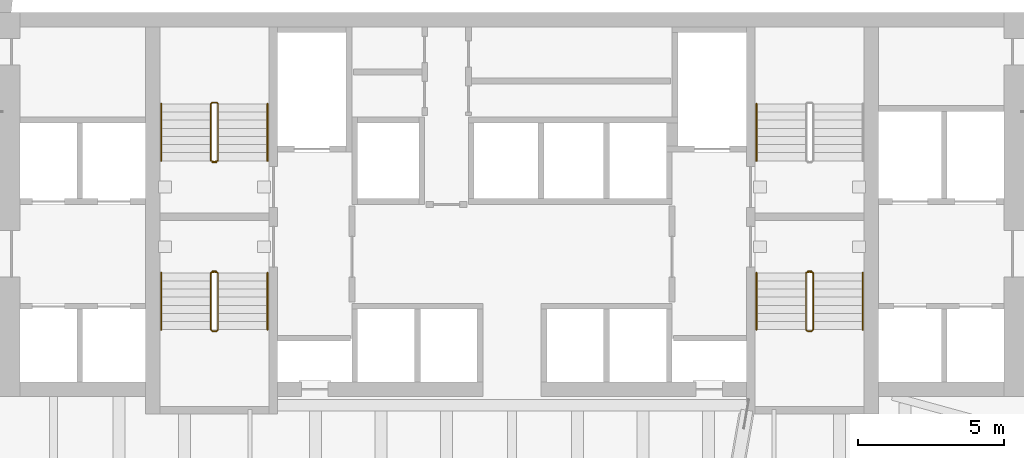
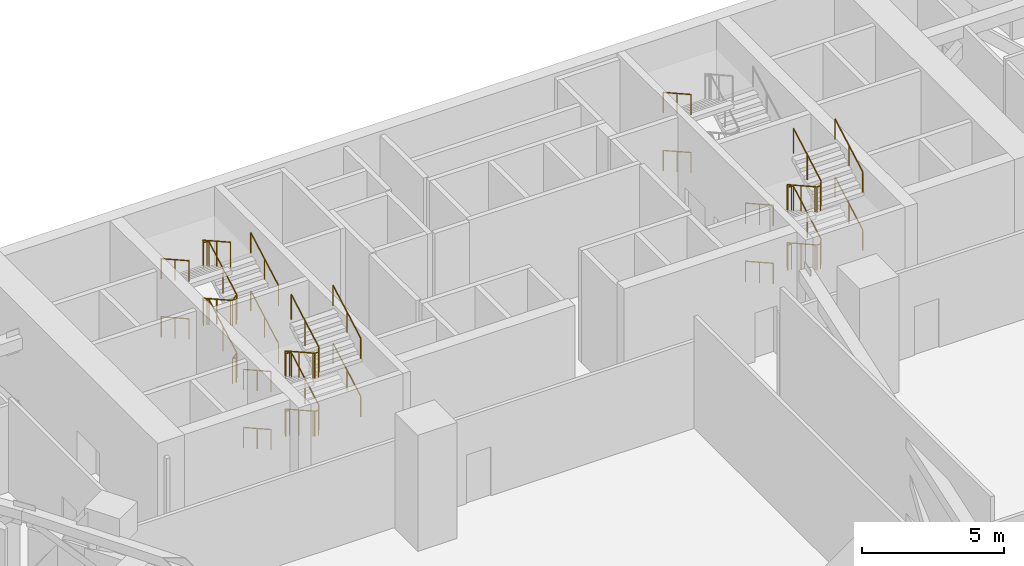
# One storey, part 21 of 22: 17 railings.
"""IFC4 building model written with IfcOpenShell, lengths in metres."""

from ifc_helpers import new_model, si_unit, direction, frame, origin, origin_2d, place, context, subcontext, project, spatial, circle, extrude, material, type_object, element, save


model = new_model("IFC4")

# Units and contexts
model_context = context("Model", 3, precision=1e-05, world=origin(), true_north=direction((0.0, 1.0)))
body_context = subcontext(model_context, "Body", "Model", "MODEL_VIEW")
ifc_project = project(units=[si_unit("LENGTHUNIT", "METRE"), si_unit("AREAUNIT", "SQUARE_METRE"), si_unit("VOLUMEUNIT", "CUBIC_METRE"), si_unit("PLANEANGLEUNIT", "RADIAN"), si_unit("MASSUNIT", "GRAM", prefix="KILO")], contexts=[model_context])

# Site, building, storey
site_placement = place(None, origin())
site = spatial("IfcSite", under=ifc_project, at=site_placement, CompositionType="ELEMENT")
building_placement = place(site_placement, origin())
building = spatial("IfcBuilding", under=site, at=building_placement, Name="Calabash Gate Tower", CompositionType="ELEMENT")
storey_placement = place(building_placement, frame((0.0, 0.0, 86.800048828125)))
storey = spatial("IfcBuildingStorey", under=building, at=storey_placement, Name="L18", CompositionType="ELEMENT", Elevation=86.800048828125)

# Railings
ifc_material_1 = material(Name="Black powder-coated steel balusters", Category="steel")
railing_type_1 = type_object("IfcRailingType", Name="Stair guard RL1100", PredefinedType="GUARDRAIL", material=ifc_material_1)
railing_1_placement = place(storey_placement, frame((-10.14990234375, 13.902587890625, 0.0)))
element("IfcRailing", 1, at=railing_1_placement, inside=storey, type_object=railing_type_1, Name="L18 ST1 stair guard 1", PredefinedType="GUARDRAIL", context=body_context, shape_type="SweptSolid", body=[
    extrude(circle(Radius=0.02392578125, at=origin_2d()), frame((0.0, 0.0, 1.076171875), z_axis=(-1.0, 0.0, 0.0), x_axis=(0.0, -1.0, 0.0)), (0.0, 0.0, 1.0), 0.150146484375),
    extrude(circle(Radius=0.02392578125, at=origin_2d()), frame((-0.150146484375, 0.0, 1.076171875), z_axis=(0.77305925043, 0.19350078918, 0.604100024756), x_axis=(-0.242814311512, 0.970072785993, 0.0)), (0.0, 0.0, 1.0), 0.258544921875),
    extrude(circle(Radius=0.02392578125, at=origin_2d()), frame((0.0498046875, 0.050048828125, 1.232421875), z_axis=(0.0, 0.872479975208, 0.48864986735), x_axis=(-1.0, 0.0, 0.0)), (0.0, 0.0, 1.0), 2.23828125),
    extrude(circle(Radius=0.02392578125, at=origin_2d()), frame((0.0498046875, 2.0029296875, 2.326171875), z_axis=(-0.705375805398, 0.708833529934, 0.0), x_axis=(-0.708833529934, -0.705375805398, 0.0)), (0.0, 0.0, 1.0), 0.070556640625),
    extrude(circle(Radius=0.02392578125, at=origin_2d()), frame((0.0, 2.052978515625, 2.326171875), z_axis=(-1.0, 0.0, 0.0), x_axis=(0.0, -1.0, 0.0)), (0.0, 0.0, 1.0), 0.150146484375),
    extrude(circle(Radius=0.02392578125, at=origin_2d()), frame((-0.150146484375, 2.052978515625, 2.326171875), z_axis=(-0.29177245553, -0.29177245553, 0.91089937336), x_axis=(0.707106781187, -0.707106781187, 0.0)), (0.0, 0.0, 1.0), 0.171630859375),
    extrude(circle(Radius=0.02392578125, at=origin_2d()), frame((-0.2001953125, 2.0029296875, 2.482421875), z_axis=(0.0, -0.872479975208, 0.48864986735), x_axis=(1.0, 0.0, 0.0)), (0.0, 0.0, 1.0), 2.23828125),
    extrude(circle(Radius=0.02392578125, at=origin_2d()), frame((-0.2001953125, 0.050048828125, 3.576171875), z_axis=(0.970142500145, -0.242535625036, 0.0), x_axis=(0.242535625036, 0.970142500145, 0.0)), (0.0, 0.0, 1.0), 0.206298828125),
    extrude(circle(Radius=0.02392578125, at=origin_2d()), frame((0.0, 0.0, 3.576171875), z_axis=(-1.0, 0.0, 0.0), x_axis=(0.0, -1.0, 0.0)), (0.0, 0.0, 1.0), 0.150146484375),
    extrude(circle(Radius=0.02392578125, at=origin_2d()), frame((-0.150146484375, 0.0, 3.576171875), z_axis=(0.77305925043, 0.19350078918, 0.604100024756), x_axis=(-0.242814311512, 0.970072785993, 0.0)), (0.0, 0.0, 1.0), 0.258544921875),
    extrude(circle(Radius=0.02392578125, at=origin_2d()), frame((0.0498046875, 0.050048828125, 3.732421875), z_axis=(0.0, 0.872479975208, 0.48864986735), x_axis=(-1.0, 0.0, 0.0)), (0.0, 0.0, 1.0), 2.23828125),
    extrude(circle(Radius=0.02392578125, at=origin_2d()), frame((0.0498046875, 2.0029296875, 4.826171875), z_axis=(-0.705375805398, 0.708833529934, 0.0), x_axis=(-0.708833529934, -0.705375805398, 0.0)), (0.0, 0.0, 1.0), 0.070556640625),
    extrude(circle(Radius=0.02392578125, at=origin_2d()), frame((0.0, 2.052978515625, 4.826171875), z_axis=(-1.0, 0.0, 0.0), x_axis=(0.0, -1.0, 0.0)), (0.0, 0.0, 1.0), 0.150146484375),
    extrude(circle(Radius=0.02392578125, at=origin_2d()), frame((-0.150146484375, 2.052978515625, 4.826171875), z_axis=(-0.29177245553, -0.29177245553, 0.91089937336), x_axis=(0.707106781187, -0.707106781187, 0.0)), (0.0, 0.0, 1.0), 0.171630859375),
    extrude(circle(Radius=0.02392578125, at=origin_2d()), frame((-0.2001953125, 2.0029296875, 4.982421875), z_axis=(0.0, -0.872479975208, 0.48864986735), x_axis=(1.0, 0.0, 0.0)), (0.0, 0.0, 1.0), 2.23828125),
    extrude(circle(Radius=0.02099609375, at=origin_2d()), origin(), (0.0, 0.0, 1.0), 1.052001953125),
    extrude(circle(Radius=0.02099609375, at=origin_2d()), frame((-0.150146484375, 0.0, 0.0)), (0.0, 0.0, 1.0), 1.052001953125),
    extrude(circle(Radius=0.02099609375, at=origin_2d()), frame((0.0498046875, 0.050048828125, 0.15625)), (0.0, 0.0, 1.0), 1.052001953125),
    extrude(circle(Radius=0.02099609375, at=origin_2d()), frame((0.0498046875, 1.0263671875, 0.703125)), (0.0, 0.0, 1.0), 1.052001953125),
    extrude(circle(Radius=0.02099609375, at=origin_2d()), frame((0.0498046875, 2.0029296875, 1.25)), (0.0, 0.0, 1.0), 1.052001953125),
    extrude(circle(Radius=0.02099609375, at=origin_2d()), frame((0.0, 2.052978515625, 1.25)), (0.0, 0.0, 1.0), 1.052001953125),
    extrude(circle(Radius=0.02099609375, at=origin_2d()), frame((-0.150146484375, 2.052978515625, 1.25)), (0.0, 0.0, 1.0), 1.052001953125),
    extrude(circle(Radius=0.02099609375, at=origin_2d()), frame((-0.2001953125, 2.0029296875, 1.40625)), (0.0, 0.0, 1.0), 1.052001953125),
    extrude(circle(Radius=0.02099609375, at=origin_2d()), frame((-0.2001953125, 1.0263671875, 1.953125)), (0.0, 0.0, 1.0), 1.052001953125),
    extrude(circle(Radius=0.02099609375, at=origin_2d()), frame((-0.2001953125, 0.050048828125, 2.5)), (0.0, 0.0, 1.0), 1.052001953125),
    extrude(circle(Radius=0.02099609375, at=origin_2d()), frame((0.0, 0.0, 2.5)), (0.0, 0.0, 1.0), 1.052001953125),
    extrude(circle(Radius=0.02099609375, at=origin_2d()), frame((-0.150146484375, 0.0, 2.5)), (0.0, 0.0, 1.0), 1.052001953125),
    extrude(circle(Radius=0.02099609375, at=origin_2d()), frame((0.0498046875, 0.050048828125, 2.65625)), (0.0, 0.0, 1.0), 1.052001953125),
    extrude(circle(Radius=0.02099609375, at=origin_2d()), frame((0.0498046875, 1.0263671875, 3.203125)), (0.0, 0.0, 1.0), 1.052001953125),
    extrude(circle(Radius=0.02099609375, at=origin_2d()), frame((0.0498046875, 2.0029296875, 3.75)), (0.0, 0.0, 1.0), 1.052001953125),
    extrude(circle(Radius=0.02099609375, at=origin_2d()), frame((0.0, 2.052978515625, 3.75)), (0.0, 0.0, 1.0), 1.052001953125),
    extrude(circle(Radius=0.02099609375, at=origin_2d()), frame((-0.150146484375, 2.052978515625, 3.75)), (0.0, 0.0, 1.0), 1.052001953125),
    extrude(circle(Radius=0.02099609375, at=origin_2d()), frame((-0.2001953125, 2.0029296875, 3.90625)), (0.0, 0.0, 1.0), 1.052001953125),
    extrude(circle(Radius=0.02099609375, at=origin_2d()), frame((-0.2001953125, 1.0263671875, 4.453125)), (0.0, 0.0, 1.0), 1.052001953125),
    extrude(circle(Radius=0.02099609375, at=origin_2d()), frame((-0.2001953125, 0.050048828125, 5.0)), (0.0, 0.0, 1.0), 1.052001953125),
])
railing_2_placement = place(storey_placement, frame((-10.300048828125, 10.152587890625, 0.0)))
element("IfcRailing", 2, at=railing_2_placement, inside=storey, type_object=railing_type_1, Name="L18 ST2 stair guard 1", PredefinedType="GUARDRAIL", context=body_context, shape_type="SweptSolid", body=[
    extrude(circle(Radius=0.02392578125, at=origin_2d()), frame((0.0, 0.0, 1.076171875), z_axis=(1.0, 0.0, 0.0), x_axis=(0.0, 1.0, 0.0)), (0.0, 0.0, 1.0), 0.150146484375),
    extrude(circle(Radius=0.02392578125, at=origin_2d()), frame((0.150146484375, 0.0, 1.076171875), z_axis=(-0.773438643492, -0.193359660873, 0.603659429067), x_axis=(0.242535625036, -0.970142500145, 0.0)), (0.0, 0.0, 1.0), 0.2587890625),
    extrude(circle(Radius=0.02392578125, at=origin_2d()), frame((-0.050048828125, -0.050048828125, 1.232421875), z_axis=(0.0, -0.872479975208, 0.48864986735), x_axis=(1.0, 0.0, 0.0)), (0.0, 0.0, 1.0), 2.23828125),
    extrude(circle(Radius=0.02392578125, at=origin_2d()), frame((-0.050048828125, -2.0029296875, 2.326171875), z_axis=(0.707106781187, -0.707106781187, 0.0), x_axis=(0.707106781187, 0.707106781187, 0.0)), (0.0, 0.0, 1.0), 0.07080078125),
    extrude(circle(Radius=0.02392578125, at=origin_2d()), frame((0.0, -2.052978515625, 2.326171875), z_axis=(1.0, 0.0, 0.0), x_axis=(0.0, 1.0, 0.0)), (0.0, 0.0, 1.0), 0.150146484375),
    extrude(circle(Radius=0.02392578125, at=origin_2d()), frame((0.150146484375, -2.052978515625, 2.326171875), z_axis=(0.290469530425, 0.291893400672, 0.911276958196), x_axis=(-0.708833529934, 0.705375805398, 0.0)), (0.0, 0.0, 1.0), 0.17138671875),
    extrude(circle(Radius=0.02392578125, at=origin_2d()), frame((0.199951171875, -2.0029296875, 2.482421875), z_axis=(0.0, 0.872479975208, 0.48864986735), x_axis=(-1.0, 0.0, 0.0)), (0.0, 0.0, 1.0), 2.23828125),
    extrude(circle(Radius=0.02392578125, at=origin_2d()), frame((0.199951171875, -0.050048828125, 3.576171875), z_axis=(-0.970072785993, 0.242814311512, 0.0), x_axis=(-0.242814311512, -0.970072785993, 0.0)), (0.0, 0.0, 1.0), 0.2060546875),
    extrude(circle(Radius=0.02392578125, at=origin_2d()), frame((0.0, 0.0, 3.576171875), z_axis=(1.0, 0.0, 0.0), x_axis=(0.0, 1.0, 0.0)), (0.0, 0.0, 1.0), 0.150146484375),
    extrude(circle(Radius=0.02392578125, at=origin_2d()), frame((0.150146484375, 0.0, 3.576171875), z_axis=(-0.773438643492, -0.193359660873, 0.603659429067), x_axis=(0.242535625036, -0.970142500145, 0.0)), (0.0, 0.0, 1.0), 0.2587890625),
    extrude(circle(Radius=0.02392578125, at=origin_2d()), frame((-0.050048828125, -0.050048828125, 3.732421875), z_axis=(0.0, -0.872479975208, 0.48864986735), x_axis=(1.0, 0.0, 0.0)), (0.0, 0.0, 1.0), 2.23828125),
    extrude(circle(Radius=0.02392578125, at=origin_2d()), frame((-0.050048828125, -2.0029296875, 4.826171875), z_axis=(0.707106781187, -0.707106781187, 0.0), x_axis=(0.707106781187, 0.707106781187, 0.0)), (0.0, 0.0, 1.0), 0.07080078125),
    extrude(circle(Radius=0.02392578125, at=origin_2d()), frame((0.0, -2.052978515625, 4.826171875), z_axis=(1.0, 0.0, 0.0), x_axis=(0.0, 1.0, 0.0)), (0.0, 0.0, 1.0), 0.150146484375),
    extrude(circle(Radius=0.02392578125, at=origin_2d()), frame((0.150146484375, -2.052978515625, 4.826171875), z_axis=(0.290469530425, 0.291893400672, 0.911276958196), x_axis=(-0.708833529934, 0.705375805398, 0.0)), (0.0, 0.0, 1.0), 0.17138671875),
    extrude(circle(Radius=0.02392578125, at=origin_2d()), frame((0.199951171875, -2.0029296875, 4.982421875), z_axis=(0.0, 0.872479975208, 0.48864986735), x_axis=(-1.0, 0.0, 0.0)), (0.0, 0.0, 1.0), 2.23828125),
    extrude(circle(Radius=0.02099609375, at=origin_2d()), origin(), (0.0, 0.0, 1.0), 1.052001953125),
    extrude(circle(Radius=0.02099609375, at=origin_2d()), frame((0.150146484375, 0.0, 0.0)), (0.0, 0.0, 1.0), 1.052001953125),
    extrude(circle(Radius=0.02099609375, at=origin_2d()), frame((-0.050048828125, -0.050048828125, 0.15625)), (0.0, 0.0, 1.0), 1.052001953125),
    extrude(circle(Radius=0.02099609375, at=origin_2d()), frame((-0.050048828125, -1.0263671875, 0.703125)), (0.0, 0.0, 1.0), 1.052001953125),
    extrude(circle(Radius=0.02099609375, at=origin_2d()), frame((-0.050048828125, -2.0029296875, 1.25)), (0.0, 0.0, 1.0), 1.052001953125),
    extrude(circle(Radius=0.02099609375, at=origin_2d()), frame((0.0, -2.052978515625, 1.25)), (0.0, 0.0, 1.0), 1.052001953125),
    extrude(circle(Radius=0.02099609375, at=origin_2d()), frame((0.150146484375, -2.052978515625, 1.25)), (0.0, 0.0, 1.0), 1.052001953125),
    extrude(circle(Radius=0.02099609375, at=origin_2d()), frame((0.199951171875, -2.0029296875, 1.40625)), (0.0, 0.0, 1.0), 1.052001953125),
    extrude(circle(Radius=0.02099609375, at=origin_2d()), frame((0.199951171875, -1.0263671875, 1.953125)), (0.0, 0.0, 1.0), 1.052001953125),
    extrude(circle(Radius=0.02099609375, at=origin_2d()), frame((0.199951171875, -0.050048828125, 2.5)), (0.0, 0.0, 1.0), 1.052001953125),
    extrude(circle(Radius=0.02099609375, at=origin_2d()), frame((0.0, 0.0, 2.5)), (0.0, 0.0, 1.0), 1.052001953125),
    extrude(circle(Radius=0.02099609375, at=origin_2d()), frame((0.150146484375, 0.0, 2.5)), (0.0, 0.0, 1.0), 1.052001953125),
    extrude(circle(Radius=0.02099609375, at=origin_2d()), frame((-0.050048828125, -0.050048828125, 2.65625)), (0.0, 0.0, 1.0), 1.052001953125),
    extrude(circle(Radius=0.02099609375, at=origin_2d()), frame((-0.050048828125, -1.0263671875, 3.203125)), (0.0, 0.0, 1.0), 1.052001953125),
    extrude(circle(Radius=0.02099609375, at=origin_2d()), frame((-0.050048828125, -2.0029296875, 3.75)), (0.0, 0.0, 1.0), 1.052001953125),
    extrude(circle(Radius=0.02099609375, at=origin_2d()), frame((0.0, -2.052978515625, 3.75)), (0.0, 0.0, 1.0), 1.052001953125),
    extrude(circle(Radius=0.02099609375, at=origin_2d()), frame((0.150146484375, -2.052978515625, 3.75)), (0.0, 0.0, 1.0), 1.052001953125),
    extrude(circle(Radius=0.02099609375, at=origin_2d()), frame((0.199951171875, -2.0029296875, 3.90625)), (0.0, 0.0, 1.0), 1.052001953125),
    extrude(circle(Radius=0.02099609375, at=origin_2d()), frame((0.199951171875, -1.0263671875, 4.453125)), (0.0, 0.0, 1.0), 1.052001953125),
    extrude(circle(Radius=0.02099609375, at=origin_2d()), frame((0.199951171875, -0.050048828125, 5.0)), (0.0, 0.0, 1.0), 1.052001953125),
])
railing_3_placement = place(storey_placement, frame((10.14990234375, 10.152587890625, 0.0)))
element("IfcRailing", 3, at=railing_3_placement, inside=storey, type_object=railing_type_1, Name="L18 ST4 stair guard 1", PredefinedType="GUARDRAIL", context=body_context, shape_type="SweptSolid", body=[
    extrude(circle(Radius=0.02392578125, at=origin_2d()), frame((0.0, 0.0, 1.076171875), z_axis=(1.0, 0.0, 0.0), x_axis=(0.0, 1.0, 0.0)), (0.0, 0.0, 1.0), 0.150146484375),
    extrude(circle(Radius=0.02392578125, at=origin_2d()), frame((0.150146484375, 0.0, 1.076171875), z_axis=(-0.77305925043, -0.19350078918, 0.604100024756), x_axis=(0.242814311512, -0.970072785993, 0.0)), (0.0, 0.0, 1.0), 0.258544921875),
    extrude(circle(Radius=0.02392578125, at=origin_2d()), frame((-0.0498046875, -0.050048828125, 1.232421875), z_axis=(0.0, -0.872479975208, 0.48864986735), x_axis=(1.0, 0.0, 0.0)), (0.0, 0.0, 1.0), 2.23828125),
    extrude(circle(Radius=0.02392578125, at=origin_2d()), frame((-0.0498046875, -2.0029296875, 2.326171875), z_axis=(0.705375805398, -0.708833529934, 0.0), x_axis=(0.708833529934, 0.705375805398, 0.0)), (0.0, 0.0, 1.0), 0.070556640625),
    extrude(circle(Radius=0.02392578125, at=origin_2d()), frame((0.0, -2.052978515625, 2.326171875), z_axis=(1.0, 0.0, 0.0), x_axis=(0.0, 1.0, 0.0)), (0.0, 0.0, 1.0), 0.150146484375),
    extrude(circle(Radius=0.02392578125, at=origin_2d()), frame((0.150146484375, -2.052978515625, 2.326171875), z_axis=(0.29177245553, 0.29177245553, 0.91089937336), x_axis=(-0.707106781187, 0.707106781187, 0.0)), (0.0, 0.0, 1.0), 0.171630859375),
    extrude(circle(Radius=0.02392578125, at=origin_2d()), frame((0.2001953125, -2.0029296875, 2.482421875), z_axis=(0.0, 0.872479975208, 0.48864986735), x_axis=(-1.0, 0.0, 0.0)), (0.0, 0.0, 1.0), 2.23828125),
    extrude(circle(Radius=0.02392578125, at=origin_2d()), frame((0.2001953125, -0.050048828125, 3.576171875), z_axis=(-0.970142500145, 0.242535625036, 0.0), x_axis=(-0.242535625036, -0.970142500145, 0.0)), (0.0, 0.0, 1.0), 0.206298828125),
    extrude(circle(Radius=0.02392578125, at=origin_2d()), frame((0.0, 0.0, 3.576171875), z_axis=(1.0, 0.0, 0.0), x_axis=(0.0, 1.0, 0.0)), (0.0, 0.0, 1.0), 0.150146484375),
    extrude(circle(Radius=0.02392578125, at=origin_2d()), frame((0.150146484375, 0.0, 3.576171875), z_axis=(-0.77305925043, -0.19350078918, 0.604100024756), x_axis=(0.242814311512, -0.970072785993, 0.0)), (0.0, 0.0, 1.0), 0.258544921875),
    extrude(circle(Radius=0.02392578125, at=origin_2d()), frame((-0.0498046875, -0.050048828125, 3.732421875), z_axis=(0.0, -0.872479975208, 0.48864986735), x_axis=(1.0, 0.0, 0.0)), (0.0, 0.0, 1.0), 2.23828125),
    extrude(circle(Radius=0.02392578125, at=origin_2d()), frame((-0.0498046875, -2.0029296875, 4.826171875), z_axis=(0.705375805398, -0.708833529934, 0.0), x_axis=(0.708833529934, 0.705375805398, 0.0)), (0.0, 0.0, 1.0), 0.070556640625),
    extrude(circle(Radius=0.02392578125, at=origin_2d()), frame((0.0, -2.052978515625, 4.826171875), z_axis=(1.0, 0.0, 0.0), x_axis=(0.0, 1.0, 0.0)), (0.0, 0.0, 1.0), 0.150146484375),
    extrude(circle(Radius=0.02392578125, at=origin_2d()), frame((0.150146484375, -2.052978515625, 4.826171875), z_axis=(0.29177245553, 0.29177245553, 0.91089937336), x_axis=(-0.707106781187, 0.707106781187, 0.0)), (0.0, 0.0, 1.0), 0.171630859375),
    extrude(circle(Radius=0.02392578125, at=origin_2d()), frame((0.2001953125, -2.0029296875, 4.982421875), z_axis=(0.0, 0.872479975208, 0.48864986735), x_axis=(-1.0, 0.0, 0.0)), (0.0, 0.0, 1.0), 2.23828125),
    extrude(circle(Radius=0.02099609375, at=origin_2d()), origin(), (0.0, 0.0, 1.0), 1.052001953125),
    extrude(circle(Radius=0.02099609375, at=origin_2d()), frame((0.150146484375, 0.0, 0.0)), (0.0, 0.0, 1.0), 1.052001953125),
    extrude(circle(Radius=0.02099609375, at=origin_2d()), frame((-0.0498046875, -0.050048828125, 0.15625)), (0.0, 0.0, 1.0), 1.052001953125),
    extrude(circle(Radius=0.02099609375, at=origin_2d()), frame((-0.0498046875, -1.0263671875, 0.703125)), (0.0, 0.0, 1.0), 1.052001953125),
    extrude(circle(Radius=0.02099609375, at=origin_2d()), frame((-0.0498046875, -2.0029296875, 1.25)), (0.0, 0.0, 1.0), 1.052001953125),
    extrude(circle(Radius=0.02099609375, at=origin_2d()), frame((0.0, -2.052978515625, 1.25)), (0.0, 0.0, 1.0), 1.052001953125),
    extrude(circle(Radius=0.02099609375, at=origin_2d()), frame((0.150146484375, -2.052978515625, 1.25)), (0.0, 0.0, 1.0), 1.052001953125),
    extrude(circle(Radius=0.02099609375, at=origin_2d()), frame((0.2001953125, -2.0029296875, 1.40625)), (0.0, 0.0, 1.0), 1.052001953125),
    extrude(circle(Radius=0.02099609375, at=origin_2d()), frame((0.2001953125, -1.0263671875, 1.953125)), (0.0, 0.0, 1.0), 1.052001953125),
    extrude(circle(Radius=0.02099609375, at=origin_2d()), frame((0.2001953125, -0.050048828125, 2.5)), (0.0, 0.0, 1.0), 1.052001953125),
    extrude(circle(Radius=0.02099609375, at=origin_2d()), frame((0.0, 0.0, 2.5)), (0.0, 0.0, 1.0), 1.052001953125),
    extrude(circle(Radius=0.02099609375, at=origin_2d()), frame((0.150146484375, 0.0, 2.5)), (0.0, 0.0, 1.0), 1.052001953125),
    extrude(circle(Radius=0.02099609375, at=origin_2d()), frame((-0.0498046875, -0.050048828125, 2.65625)), (0.0, 0.0, 1.0), 1.052001953125),
    extrude(circle(Radius=0.02099609375, at=origin_2d()), frame((-0.0498046875, -1.0263671875, 3.203125)), (0.0, 0.0, 1.0), 1.052001953125),
    extrude(circle(Radius=0.02099609375, at=origin_2d()), frame((-0.0498046875, -2.0029296875, 3.75)), (0.0, 0.0, 1.0), 1.052001953125),
    extrude(circle(Radius=0.02099609375, at=origin_2d()), frame((0.0, -2.052978515625, 3.75)), (0.0, 0.0, 1.0), 1.052001953125),
    extrude(circle(Radius=0.02099609375, at=origin_2d()), frame((0.150146484375, -2.052978515625, 3.75)), (0.0, 0.0, 1.0), 1.052001953125),
    extrude(circle(Radius=0.02099609375, at=origin_2d()), frame((0.2001953125, -2.0029296875, 3.90625)), (0.0, 0.0, 1.0), 1.052001953125),
    extrude(circle(Radius=0.02099609375, at=origin_2d()), frame((0.2001953125, -1.0263671875, 4.453125)), (0.0, 0.0, 1.0), 1.052001953125),
    extrude(circle(Radius=0.02099609375, at=origin_2d()), frame((0.2001953125, -0.050048828125, 5.0)), (0.0, 0.0, 1.0), 1.052001953125),
])
ifc_material_2 = material(Name="Black powder-coated steel tube 48 mm", Category="steel")
railing_type_2 = type_object("IfcRailingType", Name="Stair handrail RL900", PredefinedType="HANDRAIL", material=ifc_material_2)
railing_4_placement = place(storey_placement, frame((-8.39990234375, 13.95263671875, 0.15625)))
element("IfcRailing", 4, at=railing_4_placement, inside=storey, type_object=railing_type_2, Name="L18 ST1 stair handrail 1", PredefinedType="HANDRAIL", context=body_context, shape_type="SweptSolid", body=[
    extrude(circle(Radius=0.02392578125, at=origin_2d()), frame((0.0, 0.0, 0.8759765625), z_axis=(0.0, 0.872479975208, 0.48864986735), x_axis=(-1.0, 0.0, 0.0)), (0.0, 0.0, 1.0), 2.23828125),
    extrude(circle(Radius=0.02099609375, at=origin_2d()), origin(), (0.0, 0.0, 1.0), 0.851806640625),
    extrude(circle(Radius=0.02099609375, at=origin_2d()), frame((0.0, 0.9765625, 0.546875)), (0.0, 0.0, 1.0), 0.851806640625),
    extrude(circle(Radius=0.02099609375, at=origin_2d()), frame((0.0, 1.952880859375, 1.09375)), (0.0, 0.0, 1.0), 0.851806640625),
])
railing_5_placement = place(storey_placement, frame((-12.050048828125, 15.905517578125, 1.40625)))
element("IfcRailing", 5, at=railing_5_placement, inside=storey, type_object=railing_type_2, Name="L18 ST1 stair handrail 2", PredefinedType="HANDRAIL", context=body_context, shape_type="SweptSolid", body=[
    extrude(circle(Radius=0.02392578125, at=origin_2d()), frame((0.0, 0.0, 0.8759765625), z_axis=(0.0, -0.872479975208, 0.48864986735), x_axis=(1.0, 0.0, 0.0)), (0.0, 0.0, 1.0), 2.23828125),
    extrude(circle(Radius=0.02099609375, at=origin_2d()), origin(), (0.0, 0.0, 1.0), 0.851806640625),
    extrude(circle(Radius=0.02099609375, at=origin_2d()), frame((0.0, -0.9765625, 0.546875)), (0.0, 0.0, 1.0), 0.851806640625),
    extrude(circle(Radius=0.02099609375, at=origin_2d()), frame((0.0, -1.952880859375, 1.09375)), (0.0, 0.0, 1.0), 0.851806640625),
])
railing_6_placement = place(storey_placement, frame((-8.39990234375, 13.95263671875, 2.65625)))
element("IfcRailing", 6, at=railing_6_placement, inside=storey, type_object=railing_type_2, Name="L18 ST1 stair handrail 3", PredefinedType="HANDRAIL", context=body_context, shape_type="SweptSolid", body=[
    extrude(circle(Radius=0.02392578125, at=origin_2d()), frame((0.0, 0.0, 0.8759765625), z_axis=(0.0, 0.872479975208, 0.48864986735), x_axis=(-1.0, 0.0, 0.0)), (0.0, 0.0, 1.0), 2.23828125),
    extrude(circle(Radius=0.02099609375, at=origin_2d()), origin(), (0.0, 0.0, 1.0), 0.851806640625),
    extrude(circle(Radius=0.02099609375, at=origin_2d()), frame((0.0, 0.9765625, 0.546875)), (0.0, 0.0, 1.0), 0.851806640625),
    extrude(circle(Radius=0.02099609375, at=origin_2d()), frame((0.0, 1.952880859375, 1.09375)), (0.0, 0.0, 1.0), 0.851806640625),
])
for number, where, name in (
    (7, (-12.050048828125, 15.905517578125, 3.90625), "L18 ST1 stair handrail 4"),
    (8, (-12.050048828125, 10.1025390625, 0.15625), "L18 ST2 stair handrail 1"),
):
    element("IfcRailing", number, at=place(storey_placement, frame(where)), inside=storey, type_object=railing_type_2, Name=name, PredefinedType="HANDRAIL", context=body_context, shape_type="SweptSolid", body=[
        extrude(circle(Radius=0.02392578125, at=origin_2d()), frame((0.0, 0.0, 0.8759765625), z_axis=(0.0, -0.872479975208, 0.48864986735), x_axis=(1.0, 0.0, 0.0)), (0.0, 0.0, 1.0), 2.23828125),
        extrude(circle(Radius=0.02099609375, at=origin_2d()), origin(), (0.0, 0.0, 1.0), 0.851806640625),
        extrude(circle(Radius=0.02099609375, at=origin_2d()), frame((0.0, -0.9765625, 0.546875)), (0.0, 0.0, 1.0), 0.851806640625),
        extrude(circle(Radius=0.02099609375, at=origin_2d()), frame((0.0, -1.952880859375, 1.09375)), (0.0, 0.0, 1.0), 0.851806640625),
    ])
railing_7_placement = place(storey_placement, frame((-8.39990234375, 8.149658203125, 1.40625)))
element("IfcRailing", 9, at=railing_7_placement, inside=storey, type_object=railing_type_2, Name="L18 ST2 stair handrail 2", PredefinedType="HANDRAIL", context=body_context, shape_type="SweptSolid", body=[
    extrude(circle(Radius=0.02392578125, at=origin_2d()), frame((0.0, 0.0, 0.8759765625), z_axis=(0.0, 0.872479975208, 0.48864986735), x_axis=(-1.0, 0.0, 0.0)), (0.0, 0.0, 1.0), 2.23828125),
    extrude(circle(Radius=0.02099609375, at=origin_2d()), origin(), (0.0, 0.0, 1.0), 0.851806640625),
    extrude(circle(Radius=0.02099609375, at=origin_2d()), frame((0.0, 0.9765625, 0.546875)), (0.0, 0.0, 1.0), 0.851806640625),
    extrude(circle(Radius=0.02099609375, at=origin_2d()), frame((0.0, 1.952880859375, 1.09375)), (0.0, 0.0, 1.0), 0.851806640625),
])
railing_8_placement = place(storey_placement, frame((-12.050048828125, 10.1025390625, 2.65625)))
element("IfcRailing", 10, at=railing_8_placement, inside=storey, type_object=railing_type_2, Name="L18 ST2 stair handrail 3", PredefinedType="HANDRAIL", context=body_context, shape_type="SweptSolid", body=[
    extrude(circle(Radius=0.02392578125, at=origin_2d()), frame((0.0, 0.0, 0.8759765625), z_axis=(0.0, -0.872479975208, 0.48864986735), x_axis=(1.0, 0.0, 0.0)), (0.0, 0.0, 1.0), 2.23828125),
    extrude(circle(Radius=0.02099609375, at=origin_2d()), origin(), (0.0, 0.0, 1.0), 0.851806640625),
    extrude(circle(Radius=0.02099609375, at=origin_2d()), frame((0.0, -0.9765625, 0.546875)), (0.0, 0.0, 1.0), 0.851806640625),
    extrude(circle(Radius=0.02099609375, at=origin_2d()), frame((0.0, -1.952880859375, 1.09375)), (0.0, 0.0, 1.0), 0.851806640625),
])
railing_9_placement = place(storey_placement, frame((-8.39990234375, 8.149658203125, 3.90625)))
element("IfcRailing", 11, at=railing_9_placement, inside=storey, type_object=railing_type_2, Name="L18 ST2 stair handrail 4", PredefinedType="HANDRAIL", context=body_context, shape_type="SweptSolid", body=[
    extrude(circle(Radius=0.02392578125, at=origin_2d()), frame((0.0, 0.0, 0.8759765625), z_axis=(0.0, 0.872479975208, 0.48864986735), x_axis=(-1.0, 0.0, 0.0)), (0.0, 0.0, 1.0), 2.23828125),
    extrude(circle(Radius=0.02099609375, at=origin_2d()), origin(), (0.0, 0.0, 1.0), 0.851806640625),
    extrude(circle(Radius=0.02099609375, at=origin_2d()), frame((0.0, 0.9765625, 0.546875)), (0.0, 0.0, 1.0), 0.851806640625),
    extrude(circle(Radius=0.02099609375, at=origin_2d()), frame((0.0, 1.952880859375, 1.09375)), (0.0, 0.0, 1.0), 0.851806640625),
])
for number, where, name in (
    (12, (8.39990234375, 15.905517578125, 1.40625), "L18 ST3 stair handrail 2"),
    (13, (8.39990234375, 15.905517578125, 3.90625), "L18 ST3 stair handrail 4"),
    (14, (8.39990234375, 10.1025390625, 0.15625), "L18 ST4 stair handrail 1"),
):
    element("IfcRailing", number, at=place(storey_placement, frame(where)), inside=storey, type_object=railing_type_2, Name=name, PredefinedType="HANDRAIL", context=body_context, shape_type="SweptSolid", body=[
        extrude(circle(Radius=0.02392578125, at=origin_2d()), frame((0.0, 0.0, 0.8759765625), z_axis=(0.0, -0.872479975208, 0.48864986735), x_axis=(1.0, 0.0, 0.0)), (0.0, 0.0, 1.0), 2.23828125),
        extrude(circle(Radius=0.02099609375, at=origin_2d()), origin(), (0.0, 0.0, 1.0), 0.851806640625),
        extrude(circle(Radius=0.02099609375, at=origin_2d()), frame((0.0, -0.9765625, 0.546875)), (0.0, 0.0, 1.0), 0.851806640625),
        extrude(circle(Radius=0.02099609375, at=origin_2d()), frame((0.0, -1.952880859375, 1.09375)), (0.0, 0.0, 1.0), 0.851806640625),
    ])
railing_10_placement = place(storey_placement, frame((12.050048828125, 8.149658203125, 1.40625)))
element("IfcRailing", 15, at=railing_10_placement, inside=storey, type_object=railing_type_2, Name="L18 ST4 stair handrail 2", PredefinedType="HANDRAIL", context=body_context, shape_type="SweptSolid", body=[
    extrude(circle(Radius=0.02392578125, at=origin_2d()), frame((0.0, 0.0, 0.8759765625), z_axis=(0.0, 0.872479975208, 0.48864986735), x_axis=(-1.0, 0.0, 0.0)), (0.0, 0.0, 1.0), 2.23828125),
    extrude(circle(Radius=0.02099609375, at=origin_2d()), origin(), (0.0, 0.0, 1.0), 0.851806640625),
    extrude(circle(Radius=0.02099609375, at=origin_2d()), frame((0.0, 0.9765625, 0.546875)), (0.0, 0.0, 1.0), 0.851806640625),
    extrude(circle(Radius=0.02099609375, at=origin_2d()), frame((0.0, 1.952880859375, 1.09375)), (0.0, 0.0, 1.0), 0.851806640625),
])
railing_11_placement = place(storey_placement, frame((8.39990234375, 10.1025390625, 2.65625)))
element("IfcRailing", 16, at=railing_11_placement, inside=storey, type_object=railing_type_2, Name="L18 ST4 stair handrail 3", PredefinedType="HANDRAIL", context=body_context, shape_type="SweptSolid", body=[
    extrude(circle(Radius=0.02392578125, at=origin_2d()), frame((0.0, 0.0, 0.8759765625), z_axis=(0.0, -0.872479975208, 0.48864986735), x_axis=(1.0, 0.0, 0.0)), (0.0, 0.0, 1.0), 2.23828125),
    extrude(circle(Radius=0.02099609375, at=origin_2d()), origin(), (0.0, 0.0, 1.0), 0.851806640625),
    extrude(circle(Radius=0.02099609375, at=origin_2d()), frame((0.0, -0.9765625, 0.546875)), (0.0, 0.0, 1.0), 0.851806640625),
    extrude(circle(Radius=0.02099609375, at=origin_2d()), frame((0.0, -1.952880859375, 1.09375)), (0.0, 0.0, 1.0), 0.851806640625),
])
railing_12_placement = place(storey_placement, frame((12.050048828125, 8.149658203125, 3.90625)))
element("IfcRailing", 17, at=railing_12_placement, inside=storey, type_object=railing_type_2, Name="L18 ST4 stair handrail 4", PredefinedType="HANDRAIL", context=body_context, shape_type="SweptSolid", body=[
    extrude(circle(Radius=0.02392578125, at=origin_2d()), frame((0.0, 0.0, 0.8759765625), z_axis=(0.0, 0.872479975208, 0.48864986735), x_axis=(-1.0, 0.0, 0.0)), (0.0, 0.0, 1.0), 2.23828125),
    extrude(circle(Radius=0.02099609375, at=origin_2d()), origin(), (0.0, 0.0, 1.0), 0.851806640625),
    extrude(circle(Radius=0.02099609375, at=origin_2d()), frame((0.0, 0.9765625, 0.546875)), (0.0, 0.0, 1.0), 0.851806640625),
    extrude(circle(Radius=0.02099609375, at=origin_2d()), frame((0.0, 1.952880859375, 1.09375)), (0.0, 0.0, 1.0), 0.851806640625),
])

save(model, "model.ifc")
